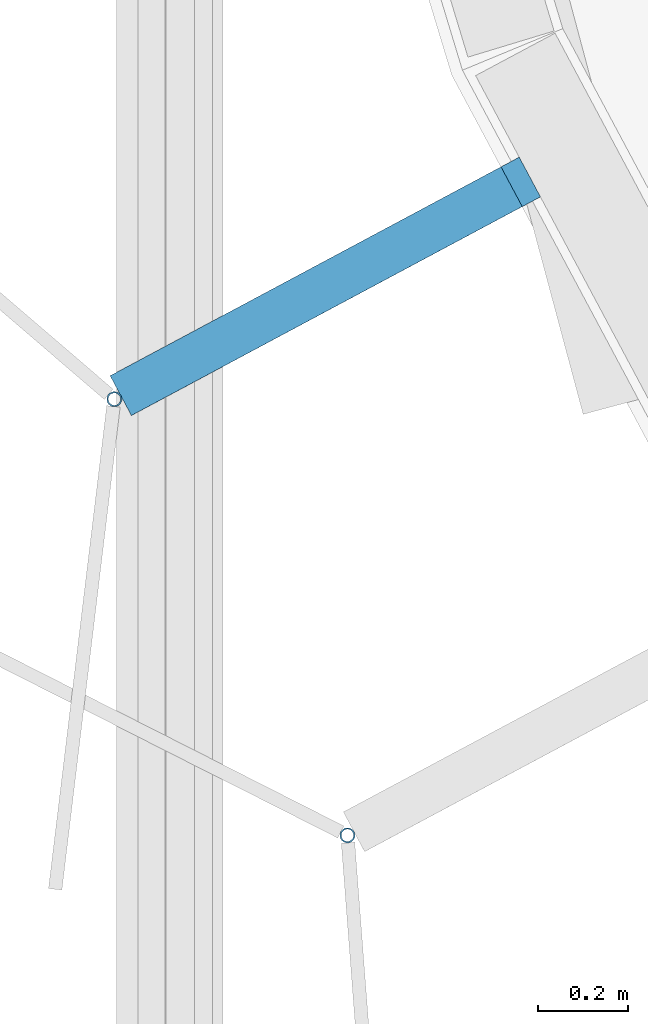
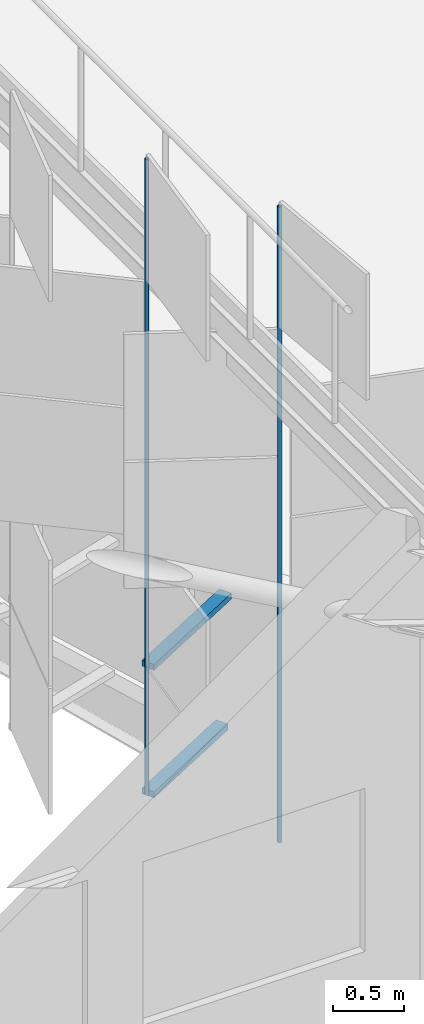
# One storey, part 166 of 483: 4 discrete accessories.
"""IFC4 building model written with IfcOpenShell, lengths in metres."""

from ifc_helpers import new_model, si_unit, direction, frame, origin, origin_2d, place, context, subcontext, project, spatial, rectangle, hollow_circle, extrude, material, material_profile, profile_set, type_object, element, save


model = new_model("IFC4")

# Units and contexts
model_context = context("Model", 3, precision=1e-05, world=origin(), true_north=direction((0.0, 1.0)))
body_context = subcontext(model_context, "Body", "Model", "MODEL_VIEW")
ifc_project = project(units=[si_unit("LENGTHUNIT", "METRE"), si_unit("AREAUNIT", "SQUARE_METRE"), si_unit("VOLUMEUNIT", "CUBIC_METRE"), si_unit("PLANEANGLEUNIT", "RADIAN"), si_unit("MASSUNIT", "GRAM", prefix="KILO")], contexts=[model_context])

# Site, building, storey
site_placement = place(None, origin())
site = spatial("IfcSite", under=ifc_project, at=site_placement, CompositionType="ELEMENT")
building_placement = place(site_placement, origin())
building = spatial("IfcBuilding", under=site, at=building_placement, Name="Parallax Yard Mobility Hub", CompositionType="ELEMENT")
storey_placement = place(building_placement, frame((0.0, 0.0, 13.199951171875)))
storey = spatial("IfcBuildingStorey", under=building, at=storey_placement, Name="L04", CompositionType="ELEMENT", Elevation=13.199951171875)

# Discrete accessories
ifc_material_1 = material(Name="Steel ASTM A36, hot-dip galvanised", Category="steel")
discrete_accessory_type_1 = type_object("IfcDiscreteAccessoryType", Name="Hinge bracket plate 100x50", PredefinedType="BRACKET", material=ifc_material_1)
discrete_accessory_1_placement = place(storey_placement, frame((195.27001953125, 26.64990234375, -0.02490234375), z_axis=(0.0, 0.0, 1.0), x_axis=(-0.881921264348, -0.471396736826, 0.0)))
element("IfcDiscreteAccessory", 1, at=discrete_accessory_1_placement, inside=storey, type_object=discrete_accessory_type_1, Name="Hinge bracket plate bay 30.4 level L04", PredefinedType="BRACKET", context=body_context, shape_type="SweptSolid", body=[
    extrude(rectangle(XDim=0.984130859375, YDim=0.10009765625, at=origin_2d()), origin(), (0.0, 0.0, 1.0), 0.050048828125),
])
discrete_accessory_2_placement = place(storey_placement, frame((195.290283203125, 26.66064453125, 1.06982421875), z_axis=(0.0, 0.0, 1.0), x_axis=(-0.881921264348, -0.471396736826, 0.0)))
element("IfcDiscreteAccessory", 2, at=discrete_accessory_2_placement, inside=storey, type_object=discrete_accessory_type_1, Name="Hinge bracket plate bay 30.4 level L04", PredefinedType="BRACKET", context=body_context, shape_type="SweptSolid", body=[
    extrude(rectangle(XDim=1.030029296875, YDim=0.10009765625, at=origin_2d()), origin(), (0.0, 0.0, 1.0), 0.050048828125),
])
ifc_material_2 = material(Name="Steel ASTM A500 Gr C, hot-dip galvanised", Category="steel")
ifc_material_profile = material_profile(ifc_material_2, hollow_circle(Radius=0.016845703125, WallThickness=0.003173828125, at=origin_2d()), Name="CHS 33.7x3.2")
ifc_profile_set = profile_set([ifc_material_profile], Name="Steel ASTM A500 Gr C, hot-dip galvanised")
discrete_accessory_type_2 = type_object("IfcDiscreteAccessoryType", Name="Hinge post CHS 33.7x3.2", PredefinedType="BRACKET", material=ifc_profile_set)
for number, where, z_axis, x_axis, name in (
    (3, (194.82177734375, 26.41015625, 0.0), (0.0, 0.0, 1.0), (1.0, 0.0, 0.0), "Hinge post bay 30.4 level L04"),
    (4, (195.33935546875, 25.441650390625, 0.0), (0.0, 0.0, 1.0), (1.0, 0.0, 0.0), "Hinge post bay 30.5 level L04"),
):
    element("IfcDiscreteAccessory", number, at=place(storey_placement, frame(where, z_axis=z_axis, x_axis=x_axis)), inside=storey, type_object=discrete_accessory_type_2, Name=name, PredefinedType="BRACKET", context=body_context, shape_type="SweptSolid", body=[
        extrude(hollow_circle(Radius=0.016845703125, WallThickness=0.003173828125, at=origin_2d()), origin(), (0.0, 0.0, 1.0), 5.449951171875),
    ])

save(model, "model.ifc")
